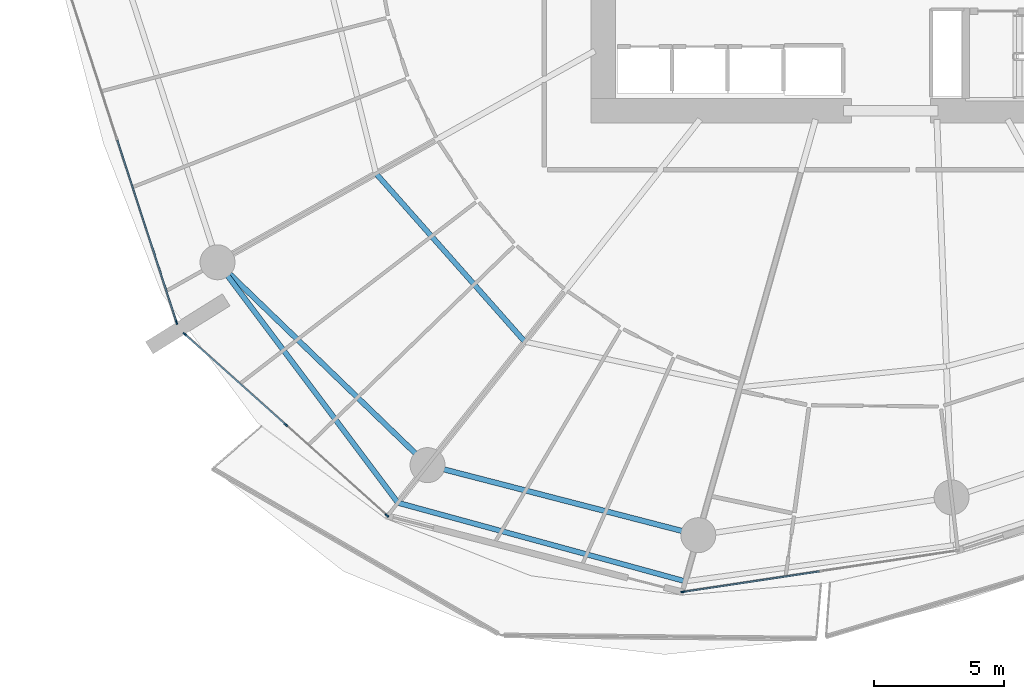
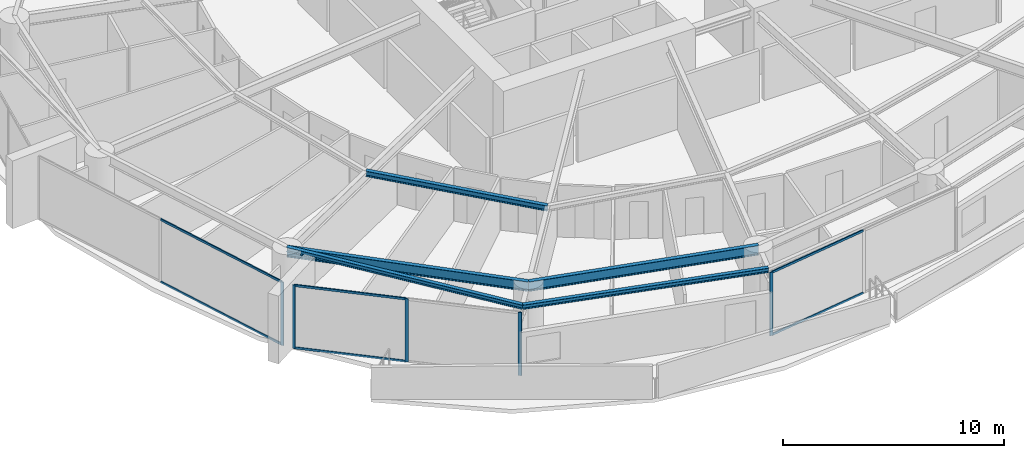
# One storey, part 7 of 30: 11 members, 5 beams, 3 elements without a shape of their own.
"""IFC4 building model written with IfcOpenShell, lengths in metres."""

from ifc_helpers import new_model, si_unit, direction, frame, origin, origin_2d, place, context, subcontext, project, spatial, rectangle, i_section, extrude, material, layer, layer_set, material_profile, profile_set, type_object, element, aggregate, save


model = new_model("IFC4")

# Units and contexts
model_context = context("Model", 3, precision=1e-05, world=origin(), true_north=direction((0.0, 1.0)))
body_context = subcontext(model_context, "Body", "Model", "MODEL_VIEW")
ifc_project = project(units=[si_unit("LENGTHUNIT", "METRE"), si_unit("AREAUNIT", "SQUARE_METRE"), si_unit("VOLUMEUNIT", "CUBIC_METRE"), si_unit("PLANEANGLEUNIT", "RADIAN"), si_unit("MASSUNIT", "GRAM", prefix="KILO")], contexts=[model_context])

# Site, building, storey
site_placement = place(None, origin())
site = spatial("IfcSite", under=ifc_project, at=site_placement, CompositionType="ELEMENT")
building_placement = place(site_placement, origin())
building = spatial("IfcBuilding", under=site, at=building_placement, Name="Kazma Halo Residences", CompositionType="ELEMENT")
storey_placement = place(building_placement, frame((0.0, 0.0, 56.39990234375)))
storey = spatial("IfcBuildingStorey", under=building, at=storey_placement, Name="L13", CompositionType="ELEMENT", Elevation=56.39990234375)

# Beams
ifc_material_1 = material(Name="Steel S355", Category="steel")
ifc_material_profile_1 = material_profile(ifc_material_1, i_section(OverallWidth=0.201904296875, OverallDepth=0.2470703125, WebThickness=0.00732421875, FlangeThickness=0.010986328125, FilletRadius=0.011962890625, at=origin_2d()), Name="W250x49.1")
ifc_profile_set_1 = profile_set([ifc_material_profile_1], Name="Steel S355")
beam_type_1 = type_object("IfcBeamType", Name="BM-BAL-CANT", PredefinedType="BEAM", material=ifc_profile_set_1)
beam_1_placement = place(storey_placement, frame((22.43505859375, 27.682861328125, 3.376708984375), z_axis=(0.600026935007, -0.799979798037, 0.0), x_axis=(0.799979798037, 0.600026935007, 0.0)))
element("IfcBeam", 1, at=beam_1_placement, inside=storey, type_object=beam_type_1, Name="L13 wave-balcony lead tie beam 09", PredefinedType="BEAM", context=body_context, shape_type="SweptSolid", body=[
    extrude(i_section(OverallWidth=0.201904296875, OverallDepth=0.2470703125, WebThickness=0.00732421875, FlangeThickness=0.010986328125, FilletRadius=0.011962890625, at=origin_2d()), origin(), (0.0, 0.0, 1.0), 11.601806640625),
])
beam_2_placement = place(storey_placement, frame((29.396484375, 18.401611328125, 3.376708984375), z_axis=(0.964628474934, -0.263613173697, 0.0), x_axis=(0.263613173697, 0.964628474934, 0.0)))
element("IfcBeam", 2, at=beam_2_placement, inside=storey, type_object=beam_type_1, Name="L13 wave-balcony tie beam 10", PredefinedType="BEAM", context=body_context, shape_type="SweptSolid", body=[
    extrude(i_section(OverallWidth=0.201904296875, OverallDepth=0.2470703125, WebThickness=0.00732421875, FlangeThickness=0.010986328125, FilletRadius=0.011962890625, at=origin_2d()), origin(), (0.0, 0.0, 1.0), 11.499755859375),
])
ifc_material_profile_2 = material_profile(ifc_material_1, i_section(OverallWidth=0.202880859375, OverallDepth=0.302978515625, WebThickness=0.007568359375, FlangeThickness=0.01318359375, FilletRadius=0.013916015625, at=origin_2d()), Name="W310x60")
ifc_profile_set_2 = profile_set([ifc_material_profile_2], Name="Steel S355")
beam_type_2 = type_object("IfcBeamType", Name="BM-SEC-W310A", PredefinedType="JOIST", material=ifc_profile_set_2)
beam_3_placement = place(storey_placement, frame((28.55224609375, 31.10888671875, 3.3486328125), z_axis=(0.662640120169, -0.748937962146, 0.0), x_axis=(0.748937962146, 0.662640120169, 0.0)))
element("IfcBeam", 3, at=beam_3_placement, inside=storey, type_object=beam_type_2, Name="L13 circumferential floor joist 09", PredefinedType="JOIST", context=body_context, shape_type="SweptSolid", body=[
    extrude(i_section(OverallWidth=0.202880859375, OverallDepth=0.302978515625, WebThickness=0.007568359375, FlangeThickness=0.01318359375, FilletRadius=0.013916015625, at=origin_2d()), origin(), (0.0, 0.0, 1.0), 8.668212890625),
])
ifc_material_profile_3 = material_profile(ifc_material_1, i_section(OverallWidth=0.208984375, OverallDepth=0.532958984375, WebThickness=0.01025390625, FlangeThickness=0.015625, FilletRadius=0.01611328125, at=origin_2d()), Name="W530x92")
ifc_profile_set_3 = profile_set([ifc_material_profile_3], Name="Steel S355")
beam_type_3 = type_object("IfcBeamType", Name="BM-SPN-W530", PredefinedType="BEAM", material=ifc_profile_set_3)
beam_4_placement = place(storey_placement, frame((22.43505859375, 27.682861328125, 3.233642578125), z_axis=(0.719336506967, -0.694661780829, 0.0), x_axis=(0.694661780829, 0.719336506967, 0.0)))
element("IfcBeam", 4, at=beam_4_placement, inside=storey, type_object=beam_type_3, Name="L13 perimeter ring beam 09", PredefinedType="BEAM", context=body_context, shape_type="SweptSolid", body=[
    extrude(i_section(OverallWidth=0.208984375, OverallDepth=0.532958984375, WebThickness=0.01025390625, FlangeThickness=0.015625, FilletRadius=0.01611328125, at=origin_2d()), origin(), (0.0, 0.0, 1.0), 11.269775390625),
])
beam_5_placement = place(storey_placement, frame((30.541748046875, 19.854248046875, 3.233642578125), z_axis=(0.968123558238, -0.250473104313, 0.0), x_axis=(0.250473104313, 0.968123558238, 0.0)))
element("IfcBeam", 5, at=beam_5_placement, inside=storey, type_object=beam_type_3, Name="L13 perimeter ring beam 10", PredefinedType="BEAM", context=body_context, shape_type="SweptSolid", body=[
    extrude(i_section(OverallWidth=0.208984375, OverallDepth=0.532958984375, WebThickness=0.01025390625, FlangeThickness=0.015625, FilletRadius=0.01611328125, at=origin_2d()), origin(), (0.0, 0.0, 1.0), 10.7939453125),
])

# Curtain wall, member
ifc_material_2 = material(Name="Aluminium AW-6063 T6 and Triple-Silver Low-E Glass", Category="aluminium")
ifc_layer = layer(ifc_material_2, 0.159912109375)
ifc_layer_set = layer_set([ifc_layer], Name="Aluminium AW-6063 T6 and Triple-Silver Low-E Glass")
curtain_wall_type = type_object("IfcCurtainWallType", Name="CW-SYS-2", PredefinedType="NOTDEFINED", material=ifc_layer_set)
curtain_wall_1_placement = place(storey_placement, origin())
curtain_wall_1 = element("IfcCurtainWall", 6, at=curtain_wall_1_placement, inside=storey, type_object=curtain_wall_type, Name="L13 unitised curtain wall B08", PredefinedType="NOTDEFINED")
ifc_material_3 = material(Name="Aluminium AW-6063 T6", Category="aluminium")
ifc_material_profile_4 = material_profile(ifc_material_3, rectangle(XDim=0.06005859375, YDim=0.159912109375, at=origin_2d()), Name="CWM-60x160")
ifc_profile_set_4 = profile_set([ifc_material_profile_4], Name="Aluminium AW-6063 T6")
member_type_1 = type_object("IfcMemberType", Name="CW-SYS-2-MUL", PredefinedType="MULLION", material=ifc_profile_set_4)
member_1_placement = place(storey_placement, frame((20.854248046875, 25.36669921875, 0.0), z_axis=(0.0, 0.0, 1.0), x_axis=(0.95105652404, 0.309016970539, 0.0)))
member_1 = element("IfcMember", 7, at=member_1_placement, type_object=member_type_1, Name="CWS-2 mullion 3", PredefinedType="MULLION", context=body_context, shape_type="SweptSolid", body=[
    extrude(rectangle(XDim=0.06005859375, YDim=0.159912109375, at=origin_2d()), origin(), (0.0, 0.0, 1.0), 3.5),
])

# Curtain wall, members
curtain_wall_2_placement = place(storey_placement, origin())
curtain_wall_2 = element("IfcCurtainWall", 8, at=curtain_wall_2_placement, inside=storey, type_object=curtain_wall_type, Name="L13 unitised curtain wall B09", PredefinedType="NOTDEFINED")
member_2_placement = place(storey_placement, frame((21.17333984375, 24.908203125, 0.0), z_axis=(0.0, 0.0, 1.0), x_axis=(0.667821453854, 0.744321506993, 0.0)))
member_2 = element("IfcMember", 9, at=member_2_placement, type_object=member_type_1, Name="CWS-2 mullion 1", PredefinedType="MULLION", context=body_context, shape_type="SweptSolid", body=[
    extrude(rectangle(XDim=0.06005859375, YDim=0.159912109375, at=origin_2d()), origin(), (0.0, 0.0, 1.0), 3.5),
])
member_3_placement = place(storey_placement, frame((25.07275390625, 21.409912109375, 0.0), z_axis=(0.0, 0.0, 1.0), x_axis=(0.667821453854, 0.744321506993, 0.0)))
member_3 = element("IfcMember", 10, at=member_3_placement, type_object=member_type_1, Name="CWS-2 mullion 2", PredefinedType="MULLION", context=body_context, shape_type="SweptSolid", body=[
    extrude(rectangle(XDim=0.06005859375, YDim=0.159912109375, at=origin_2d()), origin(), (0.0, 0.0, 1.0), 3.5),
])
member_4_placement = place(storey_placement, frame((28.971923828125, 17.911376953125, 0.0), z_axis=(0.0, 0.0, 1.0), x_axis=(0.667821453854, 0.744321506993, 0.0)))
member_4 = element("IfcMember", 11, at=member_4_placement, type_object=member_type_1, Name="CWS-2 mullion 3", PredefinedType="MULLION", context=body_context, shape_type="SweptSolid", body=[
    extrude(rectangle(XDim=0.06005859375, YDim=0.159912109375, at=origin_2d()), origin(), (0.0, 0.0, 1.0), 3.5),
])

# Curtain wall, member
curtain_wall_3_placement = place(storey_placement, origin())
curtain_wall_3 = element("IfcCurtainWall", 12, at=curtain_wall_3_placement, inside=storey, type_object=curtain_wall_type, Name="L13 unitised curtain wall B11", PredefinedType="NOTDEFINED")
member_5_placement = place(storey_placement, frame((40.403076171875, 14.962158203125, 0.0), z_axis=(0.0, 0.0, 1.0), x_axis=(-0.148657272805, 0.988888777994, 0.0)))
member_5 = element("IfcMember", 13, at=member_5_placement, type_object=member_type_1, Name="CWS-2 mullion 1", PredefinedType="MULLION", context=body_context, shape_type="SweptSolid", body=[
    extrude(rectangle(XDim=0.06005859375, YDim=0.159912109375, at=origin_2d()), origin(), (0.0, 0.0, 1.0), 3.5),
])

# Member
ifc_material_profile_5 = material_profile(ifc_material_3, rectangle(XDim=0.06005859375, YDim=0.1201171875, at=origin_2d()), Name="CWT-60x120")
ifc_profile_set_5 = profile_set([ifc_material_profile_5], Name="Aluminium AW-6063 T6")
member_type_2 = type_object("IfcMemberType", Name="CW-SYS-2-TRN", PredefinedType="USERDEFINED", material=ifc_profile_set_5)
member_6_placement = place(storey_placement, frame((18.5673828125, 32.4052734375, 0.030029296875), z_axis=(0.309004433966, -0.951060597328, 0.0), x_axis=(0.951060597328, 0.309004433966, 0.0)))
member_6 = element("IfcMember", 14, at=member_6_placement, type_object=member_type_2, Name="CWS-2 transom 2.1", ObjectType="TRANSOM", PredefinedType="USERDEFINED", context=body_context, shape_type="SweptSolid", body=[
    extrude(rectangle(XDim=0.06005859375, YDim=0.1201171875, at=origin_2d()), origin(), (0.0, 0.0, 1.0), 7.370849609375),
])

member_7_placement = place(storey_placement, frame((18.5673828125, 32.4052734375, 3.47021484375), z_axis=(0.309004433966, -0.951060597328, 0.0), x_axis=(0.951060597328, 0.309004433966, 0.0)))
member_7 = element("IfcMember", 15, at=member_7_placement, type_object=member_type_2, Name="CWS-2 transom 2.2", ObjectType="TRANSOM", PredefinedType="USERDEFINED", context=body_context, shape_type="SweptSolid", body=[
    extrude(rectangle(XDim=0.06005859375, YDim=0.1201171875, at=origin_2d()), origin(), (0.0, 0.0, 1.0), 7.370849609375),
])

aggregate(curtain_wall_1, [member_1, member_6, member_7])

member_8_placement = place(storey_placement, frame((21.19580078125, 24.88818359375, 0.030029296875), z_axis=(0.744329408538, -0.66781264707, 0.0), x_axis=(0.66781264707, 0.744329408538, 0.0)))
member_8 = element("IfcMember", 16, at=member_8_placement, type_object=member_type_2, Name="CWS-2 transom 1.1", ObjectType="TRANSOM", PredefinedType="USERDEFINED", context=body_context, shape_type="SweptSolid", body=[
    extrude(rectangle(XDim=0.06005859375, YDim=0.1201171875, at=origin_2d()), origin(), (0.0, 0.0, 1.0), 5.178466796875),
])

member_9_placement = place(storey_placement, frame((21.19580078125, 24.88818359375, 3.47021484375), z_axis=(0.744329408538, -0.66781264707, 0.0), x_axis=(0.66781264707, 0.744329408538, 0.0)))
member_9 = element("IfcMember", 17, at=member_9_placement, type_object=member_type_2, Name="CWS-2 transom 1.2", ObjectType="TRANSOM", PredefinedType="USERDEFINED", context=body_context, shape_type="SweptSolid", body=[
    extrude(rectangle(XDim=0.06005859375, YDim=0.1201171875, at=origin_2d()), origin(), (0.0, 0.0, 1.0), 5.178466796875),
])

aggregate(curtain_wall_2, [member_2, member_3, member_4, member_8, member_9])

member_10_placement = place(storey_placement, frame((40.4326171875, 14.966796875, 0.030029296875), z_axis=(0.988890934274, 0.148642928222, 0.0), x_axis=(-0.148642928222, 0.988890934274, 0.0)))
member_10 = element("IfcMember", 18, at=member_10_placement, type_object=member_type_2, Name="CWS-2 transom 1.1", ObjectType="TRANSOM", PredefinedType="USERDEFINED", context=body_context, shape_type="SweptSolid", body=[
    extrude(rectangle(XDim=0.06005859375, YDim=0.1201171875, at=origin_2d()), origin(), (0.0, 0.0, 1.0), 5.288818359375),
])

member_11_placement = place(storey_placement, frame((40.4326171875, 14.966796875, 3.47021484375), z_axis=(0.988890934274, 0.148642928222, 0.0), x_axis=(-0.148642928222, 0.988890934274, 0.0)))
member_11 = element("IfcMember", 19, at=member_11_placement, type_object=member_type_2, Name="CWS-2 transom 1.2", ObjectType="TRANSOM", PredefinedType="USERDEFINED", context=body_context, shape_type="SweptSolid", body=[
    extrude(rectangle(XDim=0.06005859375, YDim=0.1201171875, at=origin_2d()), origin(), (0.0, 0.0, 1.0), 5.288818359375),
])

aggregate(curtain_wall_3, [member_5, member_10, member_11])

save(model, "model.ifc")
